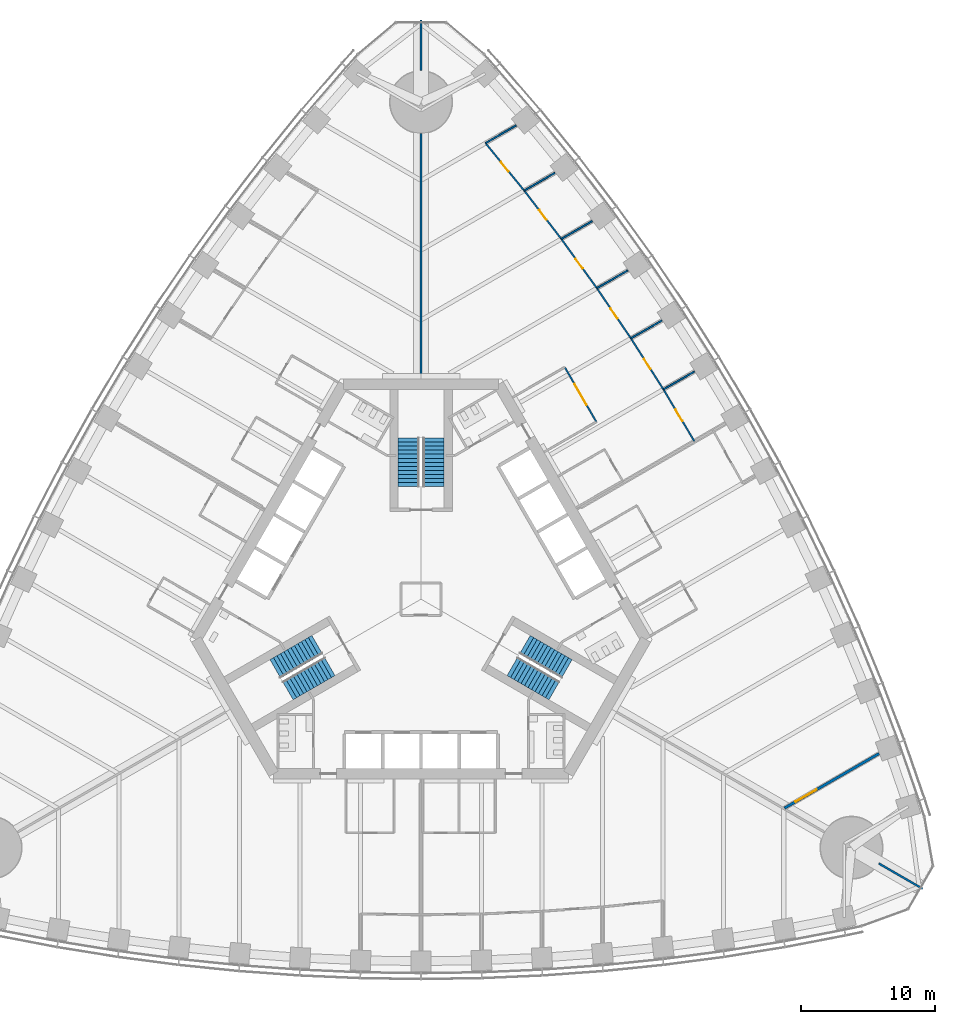
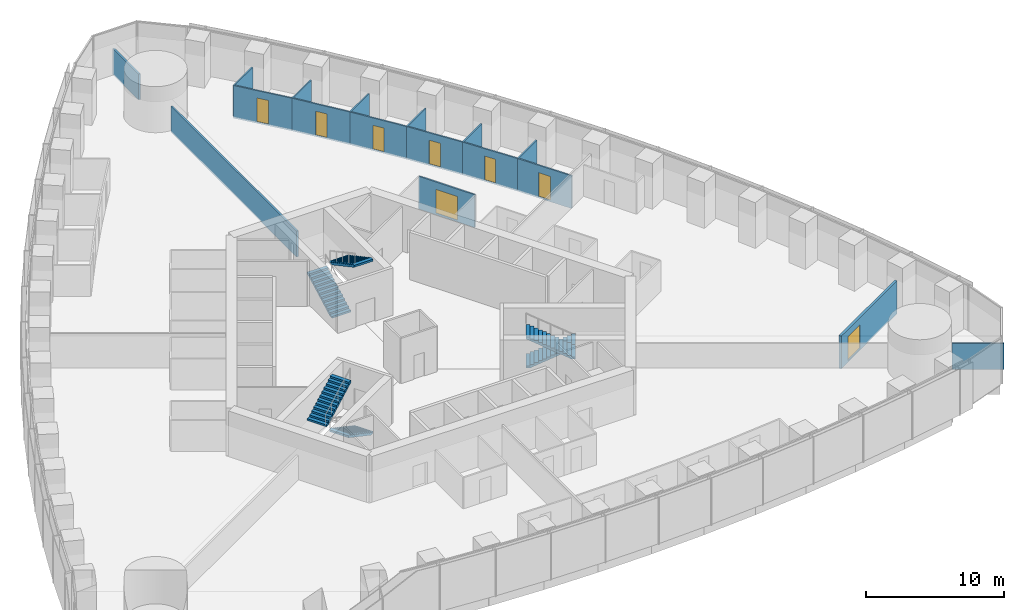
# One storey, part 13 of 18: 17 walls, 8 doors, 6 stair flights, 8 openings, 3 elements without a shape of their own.
"""IFC4 building model written with IfcOpenShell, lengths in metres."""

from ifc_helpers import new_model, si_unit, direction, frame, frame_2d, origin, place, context, subcontext, project, spatial, polyline, rectangle, outline, extrude, material, layer, layer_set, type_object, element, fill, aggregate, save


model = new_model("IFC4")

# Units and contexts
model_context = context("Model", 3, precision=1e-05, world=origin(), true_north=direction((0.0, 1.0)))
body_context = subcontext(model_context, "Body", "Model", "MODEL_VIEW")
ifc_project = project(units=[si_unit("LENGTHUNIT", "METRE"), si_unit("AREAUNIT", "SQUARE_METRE"), si_unit("VOLUMEUNIT", "CUBIC_METRE"), si_unit("PLANEANGLEUNIT", "RADIAN"), si_unit("MASSUNIT", "GRAM", prefix="KILO")], contexts=[model_context])

# Site, building, storey
site_placement = place(None, origin())
site = spatial("IfcSite", under=ifc_project, at=site_placement, CompositionType="ELEMENT")
building_placement = place(site_placement, origin())
building = spatial("IfcBuilding", under=site, at=building_placement, Name="Trefoil Bronze Tower", CompositionType="ELEMENT")
storey_placement = place(building_placement, frame((0.0, 0.0, 37.5)))
storey = spatial("IfcBuildingStorey", under=building, at=storey_placement, Name="L08", CompositionType="ELEMENT", Elevation=37.5)

# Wall, opening, door
ifc_material_1 = material(Name="Gypsum board on steel studs", Category="steel")
ifc_layer_1 = layer(ifc_material_1, 0.199951171875)
ifc_layer_set_1 = layer_set([ifc_layer_1], Name="Acoustic partition 200")
wall_type_1 = type_object("IfcWallType", Name="Acoustic partition 200", PredefinedType="PARTITIONING", material=ifc_layer_set_1)
wall_1_placement = place(storey_placement, frame((27.054931640625, -15.556640625, 0.0), z_axis=(0.0, 0.0, 1.0), x_axis=(0.866026445548, 0.499998195608, 0.0)))
wall_1 = element("IfcWall", 1, at=wall_1_placement, inside=storey, type_object=wall_type_1, Name="Partition F2 L08", PredefinedType="PARTITIONING", context=body_context, shape_type="SweptSolid", body=[
    extrude(rectangle(XDim=8.1240234375, YDim=0.199951171875, at=frame_2d((4.06201171875, 0.0))), origin(), (0.0, 0.0, 1.0), 2.89990234375),
])
opening_1_placement = place(wall_1_placement, frame((0.949951171875, 0.0, 0.14990234375)))
opening_1 = element("IfcOpeningElement", 2, at=opening_1_placement, cuts=wall_1, Name="Opening D10", PredefinedType="OPENING", context=body_context, shape_type="SweptSolid", body=[
    extrude(rectangle(XDim=1.800048828125, YDim=2.10009765625, at=frame_2d((0.89990234375, 1.050048828125))), frame((0.0, 0.10986328125, 0.0), z_axis=(0.0, -1.0, 0.0), x_axis=(1.0, 0.0, 0.0)), (0.0, 0.0, 1.0), 0.219970703125),
])
ifc_material_2 = material(Name="Timber door", Category="wood")
door_type_1 = type_object("IfcDoorType", Name="Double door 1800", OperationType="DOUBLE_DOOR_SINGLE_SWING", PredefinedType="DOOR", material=ifc_material_2)
door_1_placement = place(opening_1_placement, frame((1.800048828125, 0.0, 0.0), z_axis=(0.0, 0.0, 1.0), x_axis=(-1.0, 0.0, 0.0)))
door_1 = element("IfcDoor", 3, at=door_1_placement, inside=storey, type_object=door_type_1, Name="Boardroom door F2 L08", OperationType="DOUBLE_DOOR_SINGLE_SWING", OverallHeight=2.10009765625, OverallWidth=1.800048828125, PredefinedType="DOOR", context=body_context, shape_type="SweptSolid", body=[
    extrude(rectangle(XDim=1.800048828125, YDim=2.10009765625, at=frame_2d((0.89990234375, 1.050048828125))), frame((0.0, 0.02490234375, 0.0), z_axis=(0.0, -1.0, 0.0), x_axis=(1.0, 0.0, 0.0)), (0.0, 0.0, 1.0), 0.050048828125),
])
fill(opening_1, door_1)

ifc_material_3 = material(Name="Glazed partition", Category="glass")
ifc_layer_2 = layer(ifc_material_3, 0.1201171875)
ifc_layer_set_2 = layer_set([ifc_layer_2], Name="Glazed partition 120")
wall_type_2 = type_object("IfcWallType", Name="Glazed partition 120", PredefinedType="PARTITIONING", material=ifc_layer_set_2)
wall_2_placement = place(storey_placement, frame((13.0517578125, 13.193603515625, 0.0), z_axis=(0.0, 0.0, 1.0), x_axis=(-0.499977259774, 0.866038532462, 0.0)))
wall_2 = element("IfcWall", 4, at=wall_2_placement, inside=storey, type_object=wall_type_2, Name="Partition F2 L08", PredefinedType="PARTITIONING", context=body_context, shape_type="SweptSolid", body=[
    extrude(rectangle(XDim=4.699951171875, YDim=0.1201171875, at=frame_2d((2.35009765625, 0.0))), origin(), (0.0, 0.0, 1.0), 2.89990234375),
])
opening_2_placement = place(wall_2_placement, frame((1.449951171875, 0.0, 0.14990234375)))
opening_2 = element("IfcOpeningElement", 5, at=opening_2_placement, cuts=wall_2, Name="Opening D10", PredefinedType="OPENING", context=body_context, shape_type="SweptSolid", body=[
    extrude(rectangle(XDim=1.800048828125, YDim=2.10009765625, at=frame_2d((0.89990234375, 1.050048828125))), frame((0.0, 0.070068359375, 0.0), z_axis=(0.0, -1.0, 0.0), x_axis=(1.0, 0.0, 0.0)), (0.0, 0.0, 1.0), 0.14013671875),
])
door_2_placement = place(opening_2_placement, origin())
door_2 = element("IfcDoor", 6, at=door_2_placement, inside=storey, type_object=door_type_1, Name="Reception door F2 L08", OperationType="DOUBLE_DOOR_SINGLE_SWING", OverallHeight=2.10009765625, OverallWidth=1.800048828125, PredefinedType="DOOR", context=body_context, shape_type="SweptSolid", body=[
    extrude(rectangle(XDim=1.800048828125, YDim=2.10009765625, at=frame_2d((0.89990234375, 1.050048828125))), frame((0.0, 0.02490234375, 0.0), z_axis=(0.0, -1.0, 0.0), x_axis=(1.0, 0.0, 0.0)), (0.0, 0.0, 1.0), 0.050048828125),
])
fill(opening_2, door_2)

wall_3_placement = place(storey_placement, frame((20.3505859375, 11.749267578125, 0.0), z_axis=(0.0, 0.0, 1.0), x_axis=(-0.51252396108, 0.858672923364, 0.0)))
wall_3 = element("IfcWall", 7, at=wall_3_placement, inside=storey, type_object=wall_type_2, Name="Partition F2 L08", PredefinedType="PARTITIONING", context=body_context, shape_type="SweptSolid", body=[
    extrude(rectangle(XDim=4.50048828125, YDim=0.1201171875, at=frame_2d((2.250244140625, 0.0))), origin(), (0.0, 0.0, 1.0), 2.89990234375),
])
opening_3_placement = place(wall_3_placement, frame((1.75, 0.0, 0.14990234375)))
opening_3 = element("IfcOpeningElement", 8, at=opening_3_placement, cuts=wall_3, Name="Opening D9", PredefinedType="OPENING", context=body_context, shape_type="SweptSolid", body=[
    extrude(rectangle(XDim=1.0, YDim=2.10009765625, at=frame_2d((0.5, 1.050048828125))), frame((0.0, 0.070068359375, 0.0), z_axis=(0.0, -1.0, 0.0), x_axis=(1.0, 0.0, 0.0)), (0.0, 0.0, 1.0), 0.14013671875),
])
ifc_material_4 = material(Name="Glazed timber door", Category="wood")
door_type_2 = type_object("IfcDoorType", Name="Meeting room door 1000", OperationType="SINGLE_SWING_LEFT", PredefinedType="DOOR", material=ifc_material_4)
door_3_placement = place(opening_3_placement, frame((1.0, 0.0, 0.0), z_axis=(0.0, 0.0, 1.0), x_axis=(-1.0, 0.0, 0.0)))
door_3 = element("IfcDoor", 9, at=door_3_placement, inside=storey, type_object=door_type_2, Name="Meeting room door F2 L08", OperationType="SINGLE_SWING_RIGHT", OverallHeight=2.10009765625, OverallWidth=1.0, PredefinedType="DOOR", context=body_context, shape_type="SweptSolid", body=[
    extrude(rectangle(XDim=1.0, YDim=2.10009765625, at=frame_2d((0.5, 1.050048828125))), frame((0.0, 0.02490234375, 0.0), z_axis=(0.0, -1.0, 0.0), x_axis=(1.0, 0.0, 0.0)), (0.0, 0.0, 1.0), 0.050048828125),
])
fill(opening_3, door_3)

wall_4_placement = place(storey_placement, frame((13.090576171875, 23.146240234375, 0.0), z_axis=(0.0, 0.0, 1.0), x_axis=(-0.58534077607, 0.810787380187, 0.0)))
wall_4 = element("IfcWall", 10, at=wall_4_placement, inside=storey, type_object=wall_type_2, Name="Partition F2 L08", PredefinedType="PARTITIONING", context=body_context, shape_type="SweptSolid", body=[
    extrude(rectangle(XDim=4.5234375, YDim=0.1201171875, at=frame_2d((2.26171875, 0.0))), origin(), (0.0, 0.0, 1.0), 2.89990234375),
])
opening_4_placement = place(wall_4_placement, frame((1.800048828125, 0.0, 0.14990234375)))
opening_4 = element("IfcOpeningElement", 11, at=opening_4_placement, cuts=wall_4, Name="Opening D8", PredefinedType="OPENING", context=body_context, shape_type="SweptSolid", body=[
    extrude(rectangle(XDim=0.89990234375, YDim=2.10009765625, at=frame_2d((0.449951171875, 1.050048828125))), frame((0.0, 0.070068359375, 0.0), z_axis=(0.0, -1.0, 0.0), x_axis=(1.0, 0.0, 0.0)), (0.0, 0.0, 1.0), 0.14013671875),
])
ifc_material_5 = material(Name="Timber door", Category="wood")
door_type_3 = type_object("IfcDoorType", Name="Office door 900", OperationType="SINGLE_SWING_LEFT", PredefinedType="DOOR", material=ifc_material_5)
door_4_placement = place(opening_4_placement, frame((0.89990234375, 0.0, 0.0), z_axis=(0.0, 0.0, 1.0), x_axis=(-1.0, 0.0, 0.0)))
door_4 = element("IfcDoor", 12, at=door_4_placement, inside=storey, type_object=door_type_3, Name="Office door F2 L08", OperationType="SINGLE_SWING_RIGHT", OverallHeight=2.10009765625, OverallWidth=0.89990234375, PredefinedType="DOOR", context=body_context, shape_type="SweptSolid", body=[
    extrude(rectangle(XDim=0.89990234375, YDim=2.10009765625, at=frame_2d((0.449951171875, 1.050048828125))), frame((0.0, 0.02490234375, 0.0), z_axis=(0.0, -1.0, 0.0), x_axis=(1.0, 0.0, 0.0)), (0.0, 0.0, 1.0), 0.050048828125),
])
fill(opening_4, door_4)

wall_5_placement = place(storey_placement, frame((10.44287109375, 26.813720703125, 0.0), z_axis=(0.0, 0.0, 1.0), x_axis=(-0.608818785139, 0.79330932609, 0.0)))
wall_5 = element("IfcWall", 13, at=wall_5_placement, inside=storey, type_object=wall_type_2, Name="Partition F2 L08", PredefinedType="PARTITIONING", context=body_context, shape_type="SweptSolid", body=[
    extrude(rectangle(XDim=4.5390625, YDim=0.1201171875, at=frame_2d((2.26953125, 0.0))), origin(), (0.0, 0.0, 1.0), 2.89990234375),
])
opening_5_placement = place(wall_5_placement, frame((1.800048828125, 0.0, 0.14990234375)))
opening_5 = element("IfcOpeningElement", 14, at=opening_5_placement, cuts=wall_5, Name="Opening D8", PredefinedType="OPENING", context=body_context, shape_type="SweptSolid", body=[
    extrude(rectangle(XDim=0.89990234375, YDim=2.10009765625, at=frame_2d((0.449951171875, 1.050048828125))), frame((0.0, 0.070068359375, 0.0), z_axis=(0.0, -1.0, 0.0), x_axis=(1.0, 0.0, 0.0)), (0.0, 0.0, 1.0), 0.14013671875),
])
door_5_placement = place(opening_5_placement, frame((0.89990234375, 0.0, 0.0), z_axis=(0.0, 0.0, 1.0), x_axis=(-1.0, 0.0, 0.0)))
door_5 = element("IfcDoor", 15, at=door_5_placement, inside=storey, type_object=door_type_3, Name="Office door F2 L08", OperationType="SINGLE_SWING_RIGHT", OverallHeight=2.10009765625, OverallWidth=0.89990234375, PredefinedType="DOOR", context=body_context, shape_type="SweptSolid", body=[
    extrude(rectangle(XDim=0.89990234375, YDim=2.10009765625, at=frame_2d((0.449951171875, 1.050048828125))), frame((0.0, 0.02490234375, 0.0), z_axis=(0.0, -1.0, 0.0), x_axis=(1.0, 0.0, 0.0)), (0.0, 0.0, 1.0), 0.050048828125),
])
fill(opening_5, door_5)

wall_6_placement = place(storey_placement, frame((7.679443359375, 30.41455078125, 0.0), z_axis=(0.0, 0.0, 1.0), x_axis=(-0.631833879056, 0.775103831288, 0.0)))
wall_6 = element("IfcWall", 16, at=wall_6_placement, inside=storey, type_object=wall_type_2, Name="Partition F2 L08", PredefinedType="PARTITIONING", context=body_context, shape_type="SweptSolid", body=[
    extrude(rectangle(XDim=4.558349609375, YDim=0.1201171875, at=frame_2d((2.279296875, 0.0))), origin(), (0.0, 0.0, 1.0), 2.89990234375),
])
opening_6_placement = place(wall_6_placement, frame((1.85009765625, 0.0, 0.14990234375)))
opening_6 = element("IfcOpeningElement", 17, at=opening_6_placement, cuts=wall_6, Name="Opening D8", PredefinedType="OPENING", context=body_context, shape_type="SweptSolid", body=[
    extrude(rectangle(XDim=0.89990234375, YDim=2.10009765625, at=frame_2d((0.449951171875, 1.050048828125))), frame((0.0, 0.070068359375, 0.0), z_axis=(0.0, -1.0, 0.0), x_axis=(1.0, 0.0, 0.0)), (0.0, 0.0, 1.0), 0.14013671875),
])
door_6_placement = place(opening_6_placement, frame((0.89990234375, 0.0, 0.0), z_axis=(0.0, 0.0, 1.0), x_axis=(-1.0, 0.0, 0.0)))
door_6 = element("IfcDoor", 18, at=door_6_placement, inside=storey, type_object=door_type_3, Name="Office door F2 L08", OperationType="SINGLE_SWING_LEFT", OverallHeight=2.10009765625, OverallWidth=0.89990234375, PredefinedType="DOOR", context=body_context, shape_type="SweptSolid", body=[
    extrude(rectangle(XDim=0.89990234375, YDim=2.10009765625, at=frame_2d((0.449951171875, 1.050048828125))), frame((0.0, 0.02490234375, 0.0), z_axis=(0.0, -1.0, 0.0), x_axis=(1.0, 0.0, 0.0)), (0.0, 0.0, 1.0), 0.050048828125),
])
fill(opening_6, door_6)

wall_7_placement = place(storey_placement, frame((18.0439453125, 15.61376953125, 0.0), z_axis=(0.0, 0.0, 1.0), x_axis=(-0.537243691336, 0.843427066272, 0.0)))
wall_7 = element("IfcWall", 19, at=wall_7_placement, inside=storey, type_object=wall_type_2, Name="Partition F2 L08", PredefinedType="PARTITIONING", context=body_context, shape_type="SweptSolid", body=[
    extrude(rectangle(XDim=4.50439453125, YDim=0.1201171875, at=frame_2d((2.252197265625, 0.0))), origin(), (0.0, 0.0, 1.0), 2.89990234375),
])
opening_7_placement = place(wall_7_placement, frame((1.800048828125, 0.0, 0.14990234375)))
opening_7 = element("IfcOpeningElement", 20, at=opening_7_placement, cuts=wall_7, Name="Opening D8", PredefinedType="OPENING", context=body_context, shape_type="SweptSolid", body=[
    extrude(rectangle(XDim=0.89990234375, YDim=2.10009765625, at=frame_2d((0.449951171875, 1.050048828125))), frame((0.0, 0.070068359375, 0.0), z_axis=(0.0, -1.0, 0.0), x_axis=(1.0, 0.0, 0.0)), (0.0, 0.0, 1.0), 0.14013671875),
])
door_7_placement = place(opening_7_placement, frame((0.89990234375, 0.0, 0.0), z_axis=(0.0, 0.0, 1.0), x_axis=(-1.0, 0.0, 0.0)))
door_7 = element("IfcDoor", 21, at=door_7_placement, inside=storey, type_object=door_type_3, Name="Office door F2 L08", OperationType="SINGLE_SWING_RIGHT", OverallHeight=2.10009765625, OverallWidth=0.89990234375, PredefinedType="DOOR", context=body_context, shape_type="SweptSolid", body=[
    extrude(rectangle(XDim=0.89990234375, YDim=2.10009765625, at=frame_2d((0.449951171875, 1.050048828125))), frame((0.0, 0.02490234375, 0.0), z_axis=(0.0, -1.0, 0.0), x_axis=(1.0, 0.0, 0.0)), (0.0, 0.0, 1.0), 0.050048828125),
])
fill(opening_7, door_7)

wall_8_placement = place(storey_placement, frame((15.6240234375, 19.412841796875, 0.0), z_axis=(0.0, 0.0, 1.0), x_axis=(-0.561512004239, 0.827468591002, 0.0)))
wall_8 = element("IfcWall", 22, at=wall_8_placement, inside=storey, type_object=wall_type_2, Name="Partition F2 L08", PredefinedType="PARTITIONING", context=body_context, shape_type="SweptSolid", body=[
    extrude(rectangle(XDim=4.51171875, YDim=0.1201171875, at=frame_2d((2.255859375, 0.0))), origin(), (0.0, 0.0, 1.0), 2.89990234375),
])
opening_8_placement = place(wall_8_placement, frame((1.800048828125, 0.0, 0.14990234375)))
opening_8 = element("IfcOpeningElement", 23, at=opening_8_placement, cuts=wall_8, Name="Opening D8", PredefinedType="OPENING", context=body_context, shape_type="SweptSolid", body=[
    extrude(rectangle(XDim=0.89990234375, YDim=2.10009765625, at=frame_2d((0.449951171875, 1.050048828125))), frame((0.0, 0.070068359375, 0.0), z_axis=(0.0, -1.0, 0.0), x_axis=(1.0, 0.0, 0.0)), (0.0, 0.0, 1.0), 0.14013671875),
])
door_8_placement = place(opening_8_placement, frame((0.89990234375, 0.0, 0.0), z_axis=(0.0, 0.0, 1.0), x_axis=(-1.0, 0.0, 0.0)))
door_8 = element("IfcDoor", 24, at=door_8_placement, inside=storey, type_object=door_type_3, Name="Office door F2 L08", OperationType="SINGLE_SWING_RIGHT", OverallHeight=2.10009765625, OverallWidth=0.89990234375, PredefinedType="DOOR", context=body_context, shape_type="SweptSolid", body=[
    extrude(rectangle(XDim=0.89990234375, YDim=2.10009765625, at=frame_2d((0.449951171875, 1.050048828125))), frame((0.0, 0.02490234375, 0.0), z_axis=(0.0, -1.0, 0.0), x_axis=(1.0, 0.0, 0.0)), (0.0, 0.0, 1.0), 0.050048828125),
])
fill(opening_8, door_8)

# Walls
wall_9_placement = place(storey_placement, frame((13.090576171875, 23.146240234375, 0.0), z_axis=(0.0, 0.0, 1.0), x_axis=(0.866023818221, 0.500002746266, 0.0)))
element("IfcWall", 25, at=wall_9_placement, inside=storey, type_object=wall_type_2, Name="Partition F2 L08", PredefinedType="PARTITIONING", context=body_context, shape_type="SweptSolid", body=[
    extrude(rectangle(XDim=2.6640625, YDim=0.1201171875, at=frame_2d((1.33203125, 0.0))), origin(), (0.0, 0.0, 1.0), 2.89990234375),
])
wall_10_placement = place(storey_placement, frame((10.44287109375, 26.813720703125, 0.0), z_axis=(0.0, 0.0, 1.0), x_axis=(0.866031171652, 0.499990009627, 0.0)))
element("IfcWall", 26, at=wall_10_placement, inside=storey, type_object=wall_type_2, Name="Partition F2 L08", PredefinedType="PARTITIONING", context=body_context, shape_type="SweptSolid", body=[
    extrude(rectangle(XDim=2.6591796875, YDim=0.1201171875, at=frame_2d((1.32958984375, 0.0))), origin(), (0.0, 0.0, 1.0), 2.89990234375),
])
wall_11_placement = place(storey_placement, frame((7.679443359375, 30.41455078125, 0.0), z_axis=(0.0, 0.0, 1.0), x_axis=(0.866026229868, 0.499998569178, 0.0)))
element("IfcWall", 27, at=wall_11_placement, inside=storey, type_object=wall_type_2, Name="Partition F2 L08", PredefinedType="PARTITIONING", context=body_context, shape_type="SweptSolid", body=[
    extrude(rectangle(XDim=2.6533203125, YDim=0.1201171875, at=frame_2d((1.32666015625, 0.0))), origin(), (0.0, 0.0, 1.0), 2.89990234375),
])
wall_12_placement = place(storey_placement, frame((4.79931640625, 33.94775390625, 0.0), z_axis=(0.0, 0.0, 1.0), x_axis=(0.866002718738, 0.500039289594, 0.0)))
element("IfcWall", 28, at=wall_12_placement, inside=storey, type_object=wall_type_2, Name="Partition F2 L08", PredefinedType="PARTITIONING", context=body_context, shape_type="SweptSolid", body=[
    extrude(rectangle(XDim=2.645751953125, YDim=0.1201171875, at=frame_2d((1.32275390625, 0.0))), origin(), (0.0, 0.0, 1.0), 2.89990234375),
])
wall_13_placement = place(storey_placement, frame((18.0439453125, 15.61376953125, 0.0), z_axis=(0.0, 0.0, 1.0), x_axis=(0.866022619654, 0.500004822225, 0.0)))
element("IfcWall", 29, at=wall_13_placement, inside=storey, type_object=wall_type_2, Name="Partition F2 L08", PredefinedType="PARTITIONING", context=body_context, shape_type="SweptSolid", body=[
    extrude(rectangle(XDim=2.66943359375, YDim=0.1201171875, at=frame_2d((1.334716796875, 0.0))), origin(), (0.0, 0.0, 1.0), 2.89990234375),
])
wall_14_placement = place(storey_placement, frame((15.6240234375, 19.412841796875, 0.0), z_axis=(0.0, 0.0, 1.0), x_axis=(0.866020974757, 0.500007671222, 0.0)))
element("IfcWall", 30, at=wall_14_placement, inside=storey, type_object=wall_type_2, Name="Partition F2 L08", PredefinedType="PARTITIONING", context=body_context, shape_type="SweptSolid", body=[
    extrude(rectangle(XDim=2.66748046875, YDim=0.1201171875, at=frame_2d((1.333740234375, 0.0))), origin(), (0.0, 0.0, 1.0), 2.89990234375),
])
ifc_material_6 = material(Name="Gypsum board on steel studs", Category="steel")
ifc_layer_3 = layer(ifc_material_6, 0.14990234375)
ifc_layer_set_3 = layer_set([ifc_layer_3], Name="Party wall 150")
wall_type_3 = type_object("IfcWallType", Name="Party wall 150", PredefinedType="PARTITIONING", material=ifc_layer_set_3)
wall_15_placement = place(storey_placement, frame((34.078125, -19.675048828125, 0.0), z_axis=(0.0, 0.0, 1.0), x_axis=(0.866019247219, -0.500010663332, 0.0)))
element("IfcWall", 31, at=wall_15_placement, inside=storey, type_object=wall_type_3, Name="Party wall K1 L08", PredefinedType="PARTITIONING", context=body_context, shape_type="SweptSolid", body=[
    extrude(rectangle(XDim=3.76416015625, YDim=0.14990234375, at=frame_2d((1.882080078125, 0.0))), origin(), (0.0, 0.0, 1.0), 2.300048828125),
])
wall_16_placement = place(storey_placement, frame((0.0, 16.39990234375, 0.0), z_axis=(0.0, 0.0, 1.0), x_axis=(0.0, 1.0, 0.0)))
element("IfcWall", 32, at=wall_16_placement, inside=storey, type_object=wall_type_3, Name="Party wall K2 L08", PredefinedType="PARTITIONING", context=body_context, shape_type="SweptSolid", body=[
    extrude(rectangle(XDim=18.25, YDim=0.14990234375, at=frame_2d((9.125, 0.0))), origin(), (0.0, 0.0, 1.0), 2.300048828125),
])
wall_17_placement = place(storey_placement, frame((0.0, 39.35009765625, 0.0), z_axis=(0.0, 0.0, 1.0), x_axis=(0.0, 1.0, 0.0)))
element("IfcWall", 33, at=wall_17_placement, inside=storey, type_object=wall_type_3, Name="Party wall K2 L08", PredefinedType="PARTITIONING", context=body_context, shape_type="SweptSolid", body=[
    extrude(rectangle(XDim=3.763916015625, YDim=0.14990234375, at=frame_2d((1.8818359375, 0.0))), origin(), (0.0, 0.0, 1.0), 2.300048828125),
])

# Stair, stair flights
ifc_material_7 = material(Name="Precast concrete B80", Category="concrete")
stair_type = type_object("IfcStairType", Name="Exit stair 26 risers", PredefinedType="HALF_TURN_STAIR", material=ifc_material_7)
stair_1_placement = place(storey_placement, origin())
stair_1 = element("IfcStair", 34, at=stair_1_placement, inside=storey, type_object=stair_type, Name="Stair ST1 L08", PredefinedType="HALF_TURN_STAIR")
ifc_material_8 = material(Name="Precast concrete B80", Category="concrete")
stair_flight_type = type_object("IfcStairFlightType", Name="Stair flight 1600", PredefinedType="STRAIGHT", material=ifc_material_8)
stair_flight_1_placement = place(storey_placement, frame((7.728515625, -3.39404296875, 0.0), z_axis=(0.0, 0.0, 1.0), x_axis=(0.866025403784, -0.5, 0.0)))
stair_flight_1 = element("IfcStairFlight", 35, at=stair_flight_1_placement, type_object=stair_flight_type, Name="ST1 flight 1", NumberOfRisers=13, NumberOfTreads=12, PredefinedType="STRAIGHT", RiserHeight=0.161538462, TreadLength=0.3, context=body_context, shape_type="SweptSolid", body=[
    extrude(outline(polyline([(0.0, 0.0), (0.0, 0.16162109375), (0.300048828125, 0.16162109375), (0.300048828125, 0.322998046875), (0.60009765625, 0.322998046875), (0.60009765625, 0.484619140625), (0.89990234375, 0.484619140625), (0.89990234375, 0.646240234375), (1.199951171875, 0.646240234375), (1.199951171875, 0.8076171875), (1.5, 0.8076171875), (1.5, 0.96923828125), (1.800048828125, 0.96923828125), (1.800048828125, 1.130859375), (2.10009765625, 1.130859375), (2.10009765625, 1.292236328125), (2.39990234375, 1.292236328125), (2.39990234375, 1.453857421875), (2.699951171875, 1.453857421875), (2.699951171875, 1.615478515625), (3.0, 1.615478515625), (3.0, 1.77685546875), (3.300048828125, 1.77685546875), (3.300048828125, 1.9384765625), (3.60009765625, 1.9384765625), (3.60009765625, 2.10009765625), (3.60009765625, 1.768310546875), (0.316162109375, 0.0), (0.0, 0.0)])), frame((0.0, 0.800048828125, 0.0), z_axis=(0.0, -1.0, 0.0), x_axis=(1.0, 0.0, 0.0)), (0.0, 0.0, 1.0), 1.60009765625),
])
stair_flight_2_placement = place(storey_placement, frame((9.921142578125, -6.796142578125, 2.10009765625), z_axis=(0.0, 0.0, 1.0), x_axis=(-0.866025403784, 0.5, 0.0)))
stair_flight_2 = element("IfcStairFlight", 36, at=stair_flight_2_placement, type_object=stair_flight_type, Name="ST1 flight 2", NumberOfRisers=13, NumberOfTreads=12, PredefinedType="STRAIGHT", RiserHeight=0.161538462, TreadLength=0.3, context=body_context, shape_type="SweptSolid", body=[
    extrude(outline(polyline([(0.0, 0.0), (0.0, 0.16162109375), (0.300048828125, 0.16162109375), (0.300048828125, 0.322998046875), (0.60009765625, 0.322998046875), (0.60009765625, 0.484619140625), (0.89990234375, 0.484619140625), (0.89990234375, 0.646240234375), (1.199951171875, 0.646240234375), (1.199951171875, 0.8076171875), (1.5, 0.8076171875), (1.5, 0.96923828125), (1.800048828125, 0.96923828125), (1.800048828125, 1.130859375), (2.10009765625, 1.130859375), (2.10009765625, 1.292236328125), (2.39990234375, 1.292236328125), (2.39990234375, 1.453857421875), (2.699951171875, 1.453857421875), (2.699951171875, 1.615478515625), (3.0, 1.615478515625), (3.0, 1.77685546875), (3.300048828125, 1.77685546875), (3.300048828125, 1.9384765625), (3.60009765625, 1.9384765625), (3.60009765625, 2.10009765625), (3.60009765625, 1.768310546875), (0.316162109375, 0.0), (0.0, 0.0)])), frame((0.0, 0.800048828125, 0.0), z_axis=(0.0, -1.0, 0.0), x_axis=(1.0, 0.0, 0.0)), (0.0, 0.0, 1.0), 1.60009765625),
])
aggregate(stair_1, [stair_flight_1, stair_flight_2])

stair_2_placement = place(storey_placement, origin())
stair_2 = element("IfcStair", 37, at=stair_2_placement, inside=storey, type_object=stair_type, Name="Stair ST2 L08", PredefinedType="HALF_TURN_STAIR")
stair_flight_3_placement = place(storey_placement, frame((-0.925048828125, 8.389892578125, 0.0), z_axis=(0.0, 0.0, 1.0), x_axis=(0.0, 1.0, 0.0)))
stair_flight_3 = element("IfcStairFlight", 38, at=stair_flight_3_placement, type_object=stair_flight_type, Name="ST2 flight 1", NumberOfRisers=13, NumberOfTreads=12, PredefinedType="STRAIGHT", RiserHeight=0.161538462, TreadLength=0.3, context=body_context, shape_type="SweptSolid", body=[
    extrude(outline(polyline([(0.0, 0.0), (0.0, 0.16162109375), (0.300048828125, 0.16162109375), (0.300048828125, 0.322998046875), (0.60009765625, 0.322998046875), (0.60009765625, 0.484619140625), (0.89990234375, 0.484619140625), (0.89990234375, 0.646240234375), (1.199951171875, 0.646240234375), (1.199951171875, 0.8076171875), (1.5, 0.8076171875), (1.5, 0.96923828125), (1.800048828125, 0.96923828125), (1.800048828125, 1.130859375), (2.10009765625, 1.130859375), (2.10009765625, 1.292236328125), (2.39990234375, 1.292236328125), (2.39990234375, 1.453857421875), (2.699951171875, 1.453857421875), (2.699951171875, 1.615478515625), (3.0, 1.615478515625), (3.0, 1.77685546875), (3.300048828125, 1.77685546875), (3.300048828125, 1.9384765625), (3.60009765625, 1.9384765625), (3.60009765625, 2.10009765625), (3.60009765625, 1.768310546875), (0.316162109375, 0.0), (0.0, 0.0)])), frame((0.0, 0.800048828125, 0.0), z_axis=(0.0, -1.0, 0.0), x_axis=(1.0, 0.0, 0.0)), (0.0, 0.0, 1.0), 1.60009765625),
])
stair_flight_4_placement = place(storey_placement, frame((0.925048828125, 11.989990234375, 2.10009765625), z_axis=(0.0, 0.0, 1.0), x_axis=(0.0, -1.0, 0.0)))
stair_flight_4 = element("IfcStairFlight", 39, at=stair_flight_4_placement, type_object=stair_flight_type, Name="ST2 flight 2", NumberOfRisers=13, NumberOfTreads=12, PredefinedType="STRAIGHT", RiserHeight=0.161538462, TreadLength=0.3, context=body_context, shape_type="SweptSolid", body=[
    extrude(outline(polyline([(0.0, 0.0), (0.0, 0.16162109375), (0.300048828125, 0.16162109375), (0.300048828125, 0.322998046875), (0.60009765625, 0.322998046875), (0.60009765625, 0.484619140625), (0.89990234375, 0.484619140625), (0.89990234375, 0.646240234375), (1.199951171875, 0.646240234375), (1.199951171875, 0.8076171875), (1.5, 0.8076171875), (1.5, 0.96923828125), (1.800048828125, 0.96923828125), (1.800048828125, 1.130859375), (2.10009765625, 1.130859375), (2.10009765625, 1.292236328125), (2.39990234375, 1.292236328125), (2.39990234375, 1.453857421875), (2.699951171875, 1.453857421875), (2.699951171875, 1.615478515625), (3.0, 1.615478515625), (3.0, 1.77685546875), (3.300048828125, 1.77685546875), (3.300048828125, 1.9384765625), (3.60009765625, 1.9384765625), (3.60009765625, 2.10009765625), (3.60009765625, 1.768310546875), (0.316162109375, 0.0), (0.0, 0.0)])), frame((0.0, 0.800048828125, 0.0), z_axis=(0.0, -1.0, 0.0), x_axis=(1.0, 0.0, 0.0)), (0.0, 0.0, 1.0), 1.60009765625),
])
aggregate(stair_2, [stair_flight_3, stair_flight_4])

stair_3_placement = place(storey_placement, origin())
stair_3 = element("IfcStair", 40, at=stair_3_placement, inside=storey, type_object=stair_type, Name="Stair ST3 L08", PredefinedType="HALF_TURN_STAIR")
stair_flight_5_placement = place(storey_placement, frame((-6.803466796875, -4.99609375, 0.0), z_axis=(0.0, 0.0, 1.0), x_axis=(-0.866025403784, -0.5, 0.0)))
stair_flight_5 = element("IfcStairFlight", 41, at=stair_flight_5_placement, type_object=stair_flight_type, Name="ST3 flight 1", NumberOfRisers=13, NumberOfTreads=12, PredefinedType="STRAIGHT", RiserHeight=0.161538462, TreadLength=0.3, context=body_context, shape_type="SweptSolid", body=[
    extrude(outline(polyline([(0.0, 0.0), (0.0, 0.16162109375), (0.300048828125, 0.16162109375), (0.300048828125, 0.322998046875), (0.60009765625, 0.322998046875), (0.60009765625, 0.484619140625), (0.89990234375, 0.484619140625), (0.89990234375, 0.646240234375), (1.199951171875, 0.646240234375), (1.199951171875, 0.8076171875), (1.5, 0.8076171875), (1.5, 0.96923828125), (1.800048828125, 0.96923828125), (1.800048828125, 1.130859375), (2.10009765625, 1.130859375), (2.10009765625, 1.292236328125), (2.39990234375, 1.292236328125), (2.39990234375, 1.453857421875), (2.699951171875, 1.453857421875), (2.699951171875, 1.615478515625), (3.0, 1.615478515625), (3.0, 1.77685546875), (3.300048828125, 1.77685546875), (3.300048828125, 1.9384765625), (3.60009765625, 1.9384765625), (3.60009765625, 2.10009765625), (3.60009765625, 1.768310546875), (0.316162109375, 0.0), (0.0, 0.0)])), frame((0.0, 0.800048828125, 0.0), z_axis=(0.0, -1.0, 0.0), x_axis=(1.0, 0.0, 0.0)), (0.0, 0.0, 1.0), 1.60009765625),
])
stair_flight_6_placement = place(storey_placement, frame((-10.84619140625, -5.19384765625, 2.10009765625), z_axis=(0.0, 0.0, 1.0), x_axis=(0.866025403784, 0.5, 0.0)))
stair_flight_6 = element("IfcStairFlight", 42, at=stair_flight_6_placement, type_object=stair_flight_type, Name="ST3 flight 2", NumberOfRisers=13, NumberOfTreads=12, PredefinedType="STRAIGHT", RiserHeight=0.161538462, TreadLength=0.3, context=body_context, shape_type="SweptSolid", body=[
    extrude(outline(polyline([(0.0, 0.0), (0.0, 0.16162109375), (0.300048828125, 0.16162109375), (0.300048828125, 0.322998046875), (0.60009765625, 0.322998046875), (0.60009765625, 0.484619140625), (0.89990234375, 0.484619140625), (0.89990234375, 0.646240234375), (1.199951171875, 0.646240234375), (1.199951171875, 0.8076171875), (1.5, 0.8076171875), (1.5, 0.96923828125), (1.800048828125, 0.96923828125), (1.800048828125, 1.130859375), (2.10009765625, 1.130859375), (2.10009765625, 1.292236328125), (2.39990234375, 1.292236328125), (2.39990234375, 1.453857421875), (2.699951171875, 1.453857421875), (2.699951171875, 1.615478515625), (3.0, 1.615478515625), (3.0, 1.77685546875), (3.300048828125, 1.77685546875), (3.300048828125, 1.9384765625), (3.60009765625, 1.9384765625), (3.60009765625, 2.10009765625), (3.60009765625, 1.768310546875), (0.316162109375, 0.0), (0.0, 0.0)])), frame((0.0, 0.800048828125, 0.0), z_axis=(0.0, -1.0, 0.0), x_axis=(1.0, 0.0, 0.0)), (0.0, 0.0, 1.0), 1.60009765625),
])
aggregate(stair_3, [stair_flight_5, stair_flight_6])

save(model, "model.ifc")
